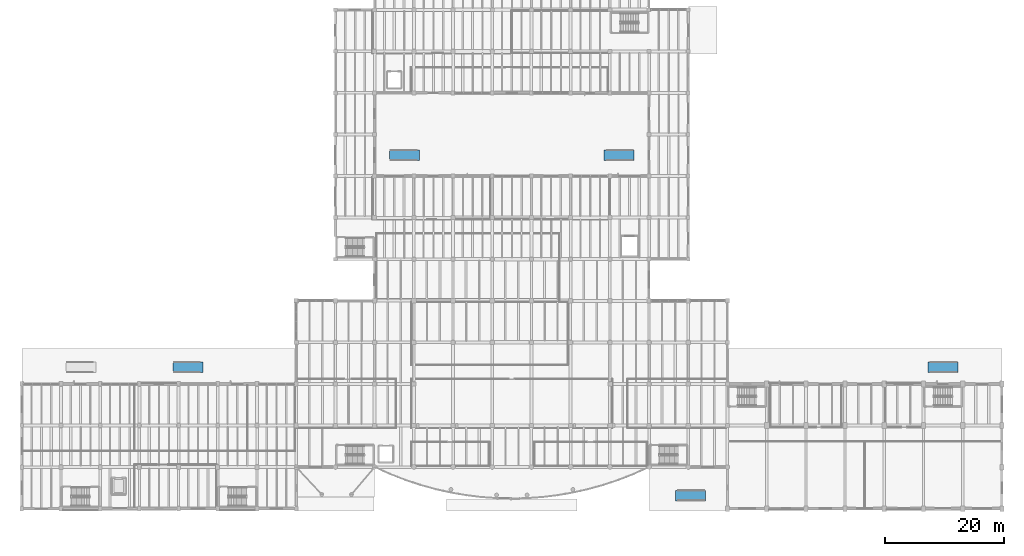
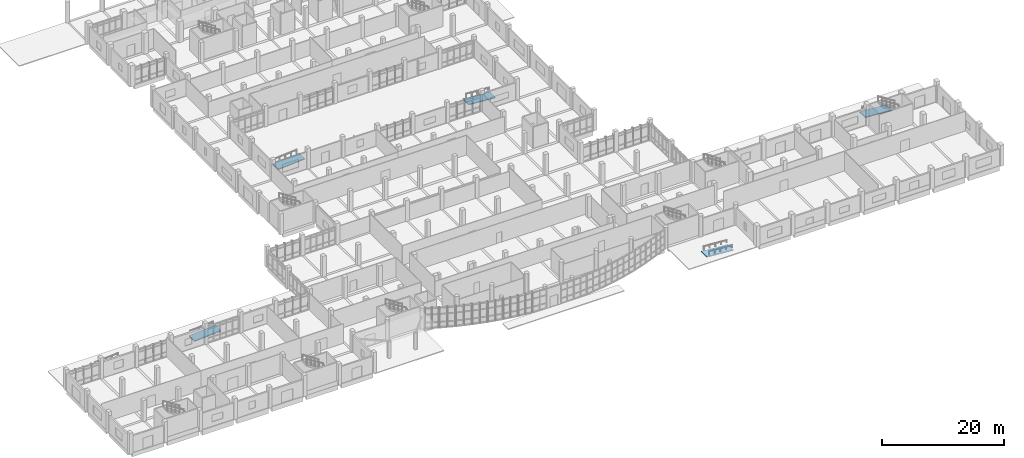
# One storey, part 54 of 69: 5 ramp flights, 5 elements without a shape of their own.
"""IFC4 building model written with IfcOpenShell, lengths in metres."""

from ifc_helpers import new_model, si_unit, direction, frame, origin, place, context, subcontext, project, spatial, polyline, outline, extrude, material, layer, layer_set, type_object, element, aggregate, save


model = new_model("IFC4")

# Units and contexts
model_context = context("Model", 3, precision=1e-05, world=origin(), true_north=direction((0.0, 1.0)))
body_context = subcontext(model_context, "Body", "Model", "MODEL_VIEW")
ifc_project = project(units=[si_unit("LENGTHUNIT", "METRE"), si_unit("AREAUNIT", "SQUARE_METRE"), si_unit("VOLUMEUNIT", "CUBIC_METRE"), si_unit("PLANEANGLEUNIT", "RADIAN"), si_unit("MASSUNIT", "GRAM", prefix="KILO")], contexts=[model_context])

# Site, building, storey
site_placement = place(None, origin())
site = spatial("IfcSite", under=ifc_project, at=site_placement, CompositionType="ELEMENT")
building_placement = place(site_placement, origin())
building = spatial("IfcBuilding", under=site, at=building_placement, Name="Ciguamira Faculty of Natural Sciences", CompositionType="ELEMENT")
storey_placement = place(building_placement, origin())
storey = spatial("IfcBuildingStorey", under=building, at=storey_placement, Name="L00", CompositionType="ELEMENT", Elevation=0.0)

# Ramp, ramp flight
ifc_material = material(Name="Concrete C35/45", Category="concrete")
ramp_type = type_object("IfcRampType", Name="Ramp_RMP01", PredefinedType="STRAIGHT_RUN_RAMP", material=ifc_material)
ramp_1_placement = place(storey_placement, origin())
ramp_1 = element("IfcRamp", 1, at=ramp_1_placement, inside=storey, type_object=ramp_type, Name="South Forecourt Accessible Ramp West", PredefinedType="STRAIGHT_RUN_RAMP")
ifc_layer = layer(ifc_material, 0.199951171875, Name="Concrete C35/45")
ifc_layer_set = layer_set([ifc_layer], Name="Concrete C35/45")
ramp_flight_type = type_object("IfcRampFlightType", Name="RampFlight_RMF01", PredefinedType="STRAIGHT", material=ifc_layer_set)
ramp_flight_1_placement = place(storey_placement, frame((30.0, 26.800048828125, -0.35009765625), z_axis=(0.0, 0.0, 1.0), x_axis=(1.0, 0.0, 0.0)))
ramp_flight_1 = element("IfcRampFlight", 2, at=ramp_flight_1_placement, type_object=ramp_flight_type, Name="South Forecourt Accessible Ramp West flight", PredefinedType="STRAIGHT", context=body_context, shape_type="SweptSolid", body=[
    extrude(outline(polyline([(-0.080078125, -0.199951171875), (-0.080078125, 0.0), (0.0, 0.0), (4.89990234375, 0.35009765625), (4.97998046875, 0.35009765625), (4.97998046875, 0.150146484375), (4.89990234375, 0.150146484375), (0.0, -0.199951171875), (-0.080078125, -0.199951171875)])), frame((0.0, 0.89990234375, 0.0), z_axis=(0.0, -1.0, 0.0), x_axis=(1.0, 0.0, 0.0)), (0.0, 0.0, 1.0), 1.800048828125),
])
aggregate(ramp_1, [ramp_flight_1])

ramp_2_placement = place(storey_placement, origin())
ramp_2 = element("IfcRamp", 3, at=ramp_2_placement, inside=storey, type_object=ramp_type, Name="South Forecourt Accessible Ramp East", PredefinedType="STRAIGHT_RUN_RAMP")
ramp_flight_2_placement = place(storey_placement, frame((119.5, 5.199951171875, -0.35009765625), z_axis=(0.0, 0.0, 1.0), x_axis=(-1.0, 0.0, 0.0)))
ramp_flight_2 = element("IfcRampFlight", 4, at=ramp_flight_2_placement, type_object=ramp_flight_type, Name="South Forecourt Accessible Ramp East flight", PredefinedType="STRAIGHT", context=body_context, shape_type="SweptSolid", body=[
    extrude(outline(polyline([(-0.080078125, -0.199951171875), (-0.080078125, 0.0), (0.0, 0.0), (4.89990234375, 0.35009765625), (4.97998046875, 0.35009765625), (4.97998046875, 0.150146484375), (4.89990234375, 0.150146484375), (0.0, -0.199951171875), (-0.080078125, -0.199951171875)])), frame((0.0, 0.89990234375, 0.0), z_axis=(0.0, -1.0, 0.0), x_axis=(1.0, 0.0, 0.0)), (0.0, 0.0, 1.0), 1.800048828125),
])
aggregate(ramp_2, [ramp_flight_2])

ramp_3_placement = place(storey_placement, origin())
ramp_3 = element("IfcRamp", 5, at=ramp_3_placement, inside=storey, type_object=ramp_type, Name="Karst Court West Accessible Ramp", PredefinedType="STRAIGHT_RUN_RAMP")
ramp_flight_3_placement = place(storey_placement, frame((66.5, 62.5, -0.35009765625), z_axis=(0.0, 0.0, 1.0), x_axis=(1.0, 0.0, 0.0)))
ramp_flight_3 = element("IfcRampFlight", 6, at=ramp_flight_3_placement, type_object=ramp_flight_type, Name="Karst Court West Accessible Ramp flight", PredefinedType="STRAIGHT", context=body_context, shape_type="SweptSolid", body=[
    extrude(outline(polyline([(-0.080078125, -0.199951171875), (-0.080078125, 0.0), (0.0, 0.0), (4.89990234375, 0.35009765625), (4.97998046875, 0.35009765625), (4.97998046875, 0.150146484375), (4.89990234375, 0.150146484375), (0.0, -0.199951171875), (-0.080078125, -0.199951171875)])), frame((0.0, 0.89990234375, 0.0), z_axis=(0.0, -1.0, 0.0), x_axis=(1.0, 0.0, 0.0)), (0.0, 0.0, 1.0), 1.800048828125),
])
aggregate(ramp_3, [ramp_flight_3])

ramp_4_placement = place(storey_placement, origin())
ramp_4 = element("IfcRamp", 7, at=ramp_4_placement, inside=storey, type_object=ramp_type, Name="Karst Court East Accessible Ramp", PredefinedType="STRAIGHT_RUN_RAMP")
ramp_flight_4_placement = place(storey_placement, frame((107.5, 62.5, -0.35009765625), z_axis=(0.0, 0.0, 1.0), x_axis=(-1.0, 0.0, 0.0)))
ramp_flight_4 = element("IfcRampFlight", 8, at=ramp_flight_4_placement, type_object=ramp_flight_type, Name="Karst Court East Accessible Ramp flight", PredefinedType="STRAIGHT", context=body_context, shape_type="SweptSolid", body=[
    extrude(outline(polyline([(-0.080078125, -0.199951171875), (-0.080078125, 0.0), (0.0, 0.0), (4.89990234375, 0.35009765625), (4.97998046875, 0.35009765625), (4.97998046875, 0.150146484375), (4.89990234375, 0.150146484375), (0.0, -0.199951171875), (-0.080078125, -0.199951171875)])), frame((0.0, 0.89990234375, 0.0), z_axis=(0.0, -1.0, 0.0), x_axis=(1.0, 0.0, 0.0)), (0.0, 0.0, 1.0), 1.800048828125),
])
aggregate(ramp_4, [ramp_flight_4])

ramp_5_placement = place(storey_placement, origin())
ramp_5 = element("IfcRamp", 9, at=ramp_5_placement, inside=storey, type_object=ramp_type, Name="East Pavilion Promenade Accessible Ramp", PredefinedType="STRAIGHT_RUN_RAMP")
ramp_flight_5_placement = place(storey_placement, frame((162.0, 26.800048828125, -0.35009765625), z_axis=(0.0, 0.0, 1.0), x_axis=(-1.0, 0.0, 0.0)))
ramp_flight_5 = element("IfcRampFlight", 10, at=ramp_flight_5_placement, type_object=ramp_flight_type, Name="East Pavilion Promenade Accessible Ramp flight", PredefinedType="STRAIGHT", context=body_context, shape_type="SweptSolid", body=[
    extrude(outline(polyline([(-0.080078125, -0.199951171875), (-0.080078125, 0.0), (0.0, 0.0), (4.89990234375, 0.35009765625), (4.97998046875, 0.35009765625), (4.97998046875, 0.150146484375), (4.89990234375, 0.150146484375), (0.0, -0.199951171875), (-0.080078125, -0.199951171875)])), frame((0.0, 0.89990234375, 0.0), z_axis=(0.0, -1.0, 0.0), x_axis=(1.0, 0.0, 0.0)), (0.0, 0.0, 1.0), 1.800048828125),
])
aggregate(ramp_5, [ramp_flight_5])

save(model, "model.ifc")
